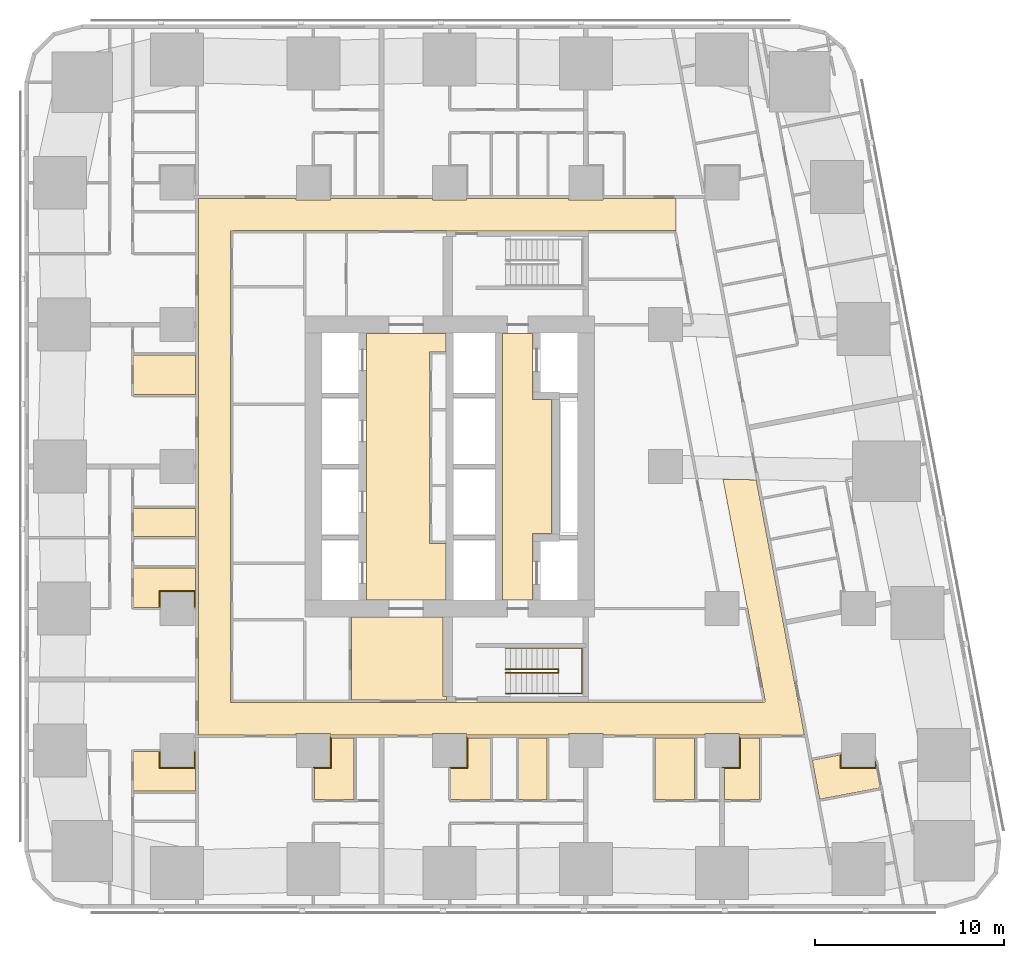
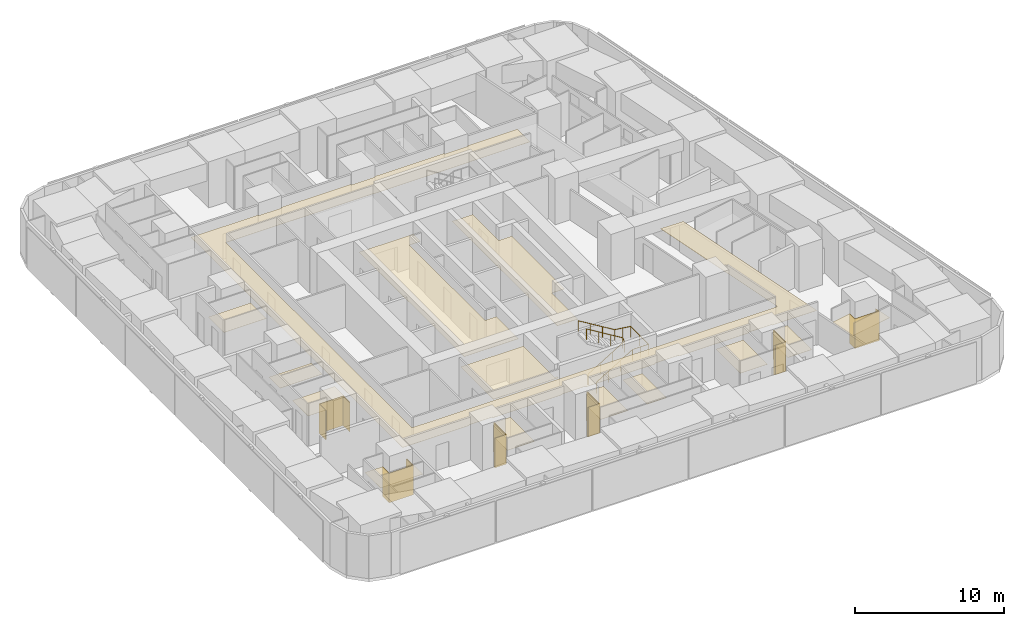
# One storey, part 14 of 16: 20 coverings, 2 railings.
"""IFC4 building model written with IfcOpenShell, lengths in metres."""

from ifc_helpers import new_model, si_unit, direction, frame, origin, origin_2d, place, context, subcontext, project, spatial, polyline, circle, outline, extrude, material, layer, layer_set, type_object, element, save


model = new_model("IFC4")

# Units and contexts
model_context = context("Model", 3, precision=1e-05, world=origin(), true_north=direction((0.0, 1.0)))
body_context = subcontext(model_context, "Body", "Model", "MODEL_VIEW")
ifc_project = project(units=[si_unit("LENGTHUNIT", "METRE"), si_unit("AREAUNIT", "SQUARE_METRE"), si_unit("VOLUMEUNIT", "CUBIC_METRE"), si_unit("PLANEANGLEUNIT", "RADIAN"), si_unit("MASSUNIT", "GRAM", prefix="KILO")], contexts=[model_context])

# Site, building, storey
site_placement = place(None, origin())
site = spatial("IfcSite", under=ifc_project, at=site_placement, CompositionType="ELEMENT")
building_placement = place(site_placement, origin())
building = spatial("IfcBuilding", under=site, at=building_placement, Name="Sheger Commons Tower", CompositionType="ELEMENT")
storey_placement = place(building_placement, frame((0.0, 0.0, 57.5)))
storey = spatial("IfcBuildingStorey", under=building, at=storey_placement, Name="L14", CompositionType="ELEMENT", Elevation=57.5)

# Railings
ifc_material_1 = material(Name="Steel handrail, black powder-coated", Category="steel")
railing_type = type_object("IfcRailingType", Name="HANDRAIL 900", PredefinedType="HANDRAIL", material=ifc_material_1)
railing_1_placement = place(storey_placement, frame((24.550048828125, 11.60009765625, 0.17041015625)))
element("IfcRailing", 1, at=railing_1_placement, inside=storey, type_object=railing_type, Name="Stair S1 handrail L14", PredefinedType="HANDRAIL", context=body_context, shape_type="SweptSolid", body=[
    extrude(circle(Radius=0.02392578125, at=origin_2d()), frame((0.0, 0.0, 0.8759765625), z_axis=(0.854169791009, 0.0, 0.51999420009), x_axis=(0.0, 1.0, 0.0)), (0.0, 0.0, 1.0), 3.278076171875),
    extrude(circle(Radius=0.02392578125, at=origin_2d()), frame((2.800048828125, 0.0, 2.58056640625), z_axis=(0.0, 0.761090297175, 0.648645943136), x_axis=(-1.0, 0.0, 0.0)), (0.0, 0.0, 1.0), 0.2626953125),
    extrude(circle(Radius=0.02392578125, at=origin_2d()), frame((2.800048828125, 0.199951171875, 2.7509765625), z_axis=(-0.854169791009, 0.0, 0.51999420009), x_axis=(0.0, -1.0, 0.0)), (0.0, 0.0, 1.0), 3.278076171875),
    extrude(circle(Radius=0.02099609375, at=origin_2d()), origin(), (0.0, 0.0, 1.0), 0.851806640625),
    extrude(circle(Radius=0.02099609375, at=origin_2d()), frame((0.933349609375, 0.0, 0.568115234375)), (0.0, 0.0, 1.0), 0.851806640625),
    extrude(circle(Radius=0.02099609375, at=origin_2d()), frame((1.86669921875, 0.0, 1.136474609375)), (0.0, 0.0, 1.0), 0.851806640625),
    extrude(circle(Radius=0.02099609375, at=origin_2d()), frame((2.800048828125, 0.0, 1.70458984375)), (0.0, 0.0, 1.0), 0.851806640625),
    extrude(circle(Radius=0.02099609375, at=origin_2d()), frame((2.800048828125, 0.199951171875, 1.875)), (0.0, 0.0, 1.0), 0.851806640625),
    extrude(circle(Radius=0.02099609375, at=origin_2d()), frame((1.86669921875, 0.199951171875, 2.443115234375)), (0.0, 0.0, 1.0), 0.851806640625),
    extrude(circle(Radius=0.02099609375, at=origin_2d()), frame((0.933349609375, 0.199951171875, 3.011474609375)), (0.0, 0.0, 1.0), 0.851806640625),
    extrude(circle(Radius=0.02099609375, at=origin_2d()), frame((0.0, 0.199951171875, 3.57958984375)), (0.0, 0.0, 1.0), 0.851806640625),
])
railing_2_placement = place(storey_placement, frame((24.550048828125, 10.5, 0.17041015625)))
element("IfcRailing", 2, at=railing_2_placement, inside=storey, type_object=railing_type, Name="Stair S1 handrail L14", PredefinedType="HANDRAIL", context=body_context, shape_type="SweptSolid", body=[
    extrude(circle(Radius=0.02392578125, at=origin_2d()), frame((0.0, 0.0, 0.8759765625), z_axis=(0.854169791009, 0.0, 0.51999420009), x_axis=(0.0, 1.0, 0.0)), (0.0, 0.0, 1.0), 3.278076171875),
    extrude(circle(Radius=0.02392578125, at=origin_2d()), frame((2.800048828125, 0.0, 2.58056640625), z_axis=(1.0, 0.0, 0.0), x_axis=(0.0, 1.0, 0.0)), (0.0, 0.0, 1.0), 1.25),
    extrude(circle(Radius=0.02392578125, at=origin_2d()), frame((4.050048828125, 0.0, 2.58056640625), z_axis=(0.0, 1.0, 0.0), x_axis=(-1.0, 0.0, 0.0)), (0.0, 0.0, 1.0), 2.39990234375),
    extrude(circle(Radius=0.02392578125, at=origin_2d()), frame((4.050048828125, 2.39990234375, 2.58056640625), z_axis=(-0.990834877927, 0.0, 0.135078661092), x_axis=(0.0, -1.0, 0.0)), (0.0, 0.0, 1.0), 1.261474609375),
    extrude(circle(Radius=0.02392578125, at=origin_2d()), frame((2.800048828125, 2.39990234375, 2.7509765625), z_axis=(-0.854169791009, 0.0, 0.51999420009), x_axis=(0.0, -1.0, 0.0)), (0.0, 0.0, 1.0), 3.278076171875),
    extrude(circle(Radius=0.02099609375, at=origin_2d()), origin(), (0.0, 0.0, 1.0), 0.851806640625),
    extrude(circle(Radius=0.02099609375, at=origin_2d()), frame((0.933349609375, 0.0, 0.568115234375)), (0.0, 0.0, 1.0), 0.851806640625),
    extrude(circle(Radius=0.02099609375, at=origin_2d()), frame((1.86669921875, 0.0, 1.136474609375)), (0.0, 0.0, 1.0), 0.851806640625),
    extrude(circle(Radius=0.02099609375, at=origin_2d()), frame((2.800048828125, 0.0, 1.70458984375)), (0.0, 0.0, 1.0), 0.851806640625),
    extrude(circle(Radius=0.02099609375, at=origin_2d()), frame((3.425048828125, 0.0, 1.70458984375)), (0.0, 0.0, 1.0), 0.851806640625),
    extrude(circle(Radius=0.02099609375, at=origin_2d()), frame((4.050048828125, 0.0, 1.70458984375)), (0.0, 0.0, 1.0), 0.851806640625),
    extrude(circle(Radius=0.02099609375, at=origin_2d()), frame((4.050048828125, 1.199951171875, 1.70458984375)), (0.0, 0.0, 1.0), 0.851806640625),
    extrude(circle(Radius=0.02099609375, at=origin_2d()), frame((4.050048828125, 2.39990234375, 1.70458984375)), (0.0, 0.0, 1.0), 0.851806640625),
    extrude(circle(Radius=0.02099609375, at=origin_2d()), frame((3.425048828125, 2.39990234375, 1.789794921875)), (0.0, 0.0, 1.0), 0.851806640625),
    extrude(circle(Radius=0.02099609375, at=origin_2d()), frame((2.800048828125, 2.39990234375, 1.875)), (0.0, 0.0, 1.0), 0.851806640625),
    extrude(circle(Radius=0.02099609375, at=origin_2d()), frame((1.86669921875, 2.39990234375, 2.443115234375)), (0.0, 0.0, 1.0), 0.851806640625),
    extrude(circle(Radius=0.02099609375, at=origin_2d()), frame((0.933349609375, 2.39990234375, 3.011474609375)), (0.0, 0.0, 1.0), 0.851806640625),
    extrude(circle(Radius=0.02099609375, at=origin_2d()), frame((0.0, 2.39990234375, 3.57958984375)), (0.0, 0.0, 1.0), 0.851806640625),
])

# Coverings
ifc_material_2 = material(Name="Moisture-resistant gypsum plasterboard 15 mm on a suspended galvanised steel grid", Category="steel")
ifc_layer_1 = layer(ifc_material_2, 0.014892578125)
ifc_layer_set_1 = layer_set([ifc_layer_1], Name="MOISTURE-RESISTANT CEILING 15")
covering_type_1 = type_object("IfcCoveringType", Name="MOISTURE-RESISTANT CEILING 15", PredefinedType="CEILING", material=ifc_layer_set_1)
covering_1_placement = place(storey_placement, frame((0.0, 0.0, 2.39990234375)))
element("IfcCovering", 3, at=covering_1_placement, inside=storey, type_object=covering_type_1, Name="L14-01.B1 ceiling", PredefinedType="CEILING", context=body_context, shape_type="SweptSolid", body=[
    extrude(outline(polyline([(4.905029296875, 5.344970703125), (8.169921875, 5.344970703125), (8.169921875, 7.445068359375), (8.10498046875, 7.445068359375), (8.10498046875, 6.594970703125), (6.294921875, 6.594970703125), (6.294921875, 7.445068359375), (4.905029296875, 7.445068359375), (4.905029296875, 5.344970703125)])), origin(), (0.0, 0.0, 1.0), 0.01513671875),
])
covering_2_placement = place(storey_placement, frame((0.0, 0.0, 2.39990234375)))
element("IfcCovering", 4, at=covering_2_placement, inside=storey, type_object=covering_type_1, Name="L14-02.B1 ceiling", PredefinedType="CEILING", context=body_context, shape_type="SweptSolid", body=[
    extrude(outline(polyline([(4.905029296875, 15.054931640625), (6.294921875, 15.054931640625), (6.294921875, 15.905029296875), (8.10498046875, 15.905029296875), (8.10498046875, 15.054931640625), (8.169921875, 15.054931640625), (8.169921875, 17.155029296875), (4.905029296875, 17.155029296875), (4.905029296875, 15.054931640625)])), origin(), (0.0, 0.0, 1.0), 0.01513671875),
])
covering_3_placement = place(storey_placement, frame((0.0, 0.0, 2.39990234375)))
element("IfcCovering", 5, at=covering_3_placement, inside=storey, type_object=covering_type_1, Name="L14-02.B2 ceiling", PredefinedType="CEILING", context=body_context, shape_type="SweptSolid", body=[
    extrude(outline(polyline([(4.905029296875, 18.804931640625), (8.169921875, 18.804931640625), (8.169921875, 20.294921875), (4.905029296875, 20.294921875), (4.905029296875, 18.804931640625)])), origin(), (0.0, 0.0, 1.0), 0.01513671875),
])
covering_4_placement = place(storey_placement, frame((0.0, 0.0, 2.39990234375)))
element("IfcCovering", 6, at=covering_4_placement, inside=storey, type_object=covering_type_1, Name="L14-03.B1 ceiling", PredefinedType="CEILING", context=body_context, shape_type="SweptSolid", body=[
    extrude(outline(polyline([(4.905029296875, 26.304931640625), (8.169921875, 26.304931640625), (8.169921875, 28.405029296875), (4.905029296875, 28.405029296875), (4.905029296875, 26.304931640625)])), origin(), (0.0, 0.0, 1.0), 0.01513671875),
])
covering_5_placement = place(storey_placement, frame((0.0, 0.0, 2.39990234375)))
element("IfcCovering", 7, at=covering_5_placement, inside=storey, type_object=covering_type_1, Name="L14-05.B1 ceiling", PredefinedType="CEILING", context=body_context, shape_type="SweptSolid", body=[
    extrude(outline(polyline([(14.455078125, 4.905029296875), (16.554931640625, 4.905029296875), (16.554931640625, 8.169921875), (15.304931640625, 8.169921875), (15.304931640625, 6.594970703125), (14.455078125, 6.594970703125), (14.455078125, 4.905029296875)])), origin(), (0.0, 0.0, 1.0), 0.01513671875),
])
covering_6_placement = place(storey_placement, frame((0.0, 0.0, 2.39990234375)))
element("IfcCovering", 8, at=covering_6_placement, inside=storey, type_object=covering_type_1, Name="L14-06.B1 ceiling", PredefinedType="CEILING", context=body_context, shape_type="SweptSolid", body=[
    extrude(outline(polyline([(21.655029296875, 4.905029296875), (23.7548828125, 4.905029296875), (23.7548828125, 8.169921875), (22.5048828125, 8.169921875), (22.5048828125, 6.594970703125), (21.655029296875, 6.594970703125), (21.655029296875, 4.905029296875)])), origin(), (0.0, 0.0, 1.0), 0.01513671875),
])
covering_7_placement = place(storey_placement, frame((0.0, 0.0, 2.39990234375)))
element("IfcCovering", 9, at=covering_7_placement, inside=storey, type_object=covering_type_1, Name="L14-06.B2 ceiling", PredefinedType="CEILING", context=body_context, shape_type="SweptSolid", body=[
    extrude(outline(polyline([(25.2548828125, 4.905029296875), (26.7451171875, 4.905029296875), (26.7451171875, 8.169921875), (25.2548828125, 8.169921875), (25.2548828125, 4.905029296875)])), origin(), (0.0, 0.0, 1.0), 0.01513671875),
])
covering_8_placement = place(storey_placement, frame((0.0, 0.0, 2.39990234375)))
element("IfcCovering", 10, at=covering_8_placement, inside=storey, type_object=covering_type_1, Name="L14-07.B1 ceiling", PredefinedType="CEILING", context=body_context, shape_type="SweptSolid", body=[
    extrude(outline(polyline([(32.455078125, 4.905029296875), (34.554931640625, 4.905029296875), (34.554931640625, 8.169921875), (32.455078125, 8.169921875), (32.455078125, 4.905029296875)])), origin(), (0.0, 0.0, 1.0), 0.01513671875),
])
covering_9_placement = place(storey_placement, frame((0.0, 0.0, 2.39990234375)))
element("IfcCovering", 11, at=covering_9_placement, inside=storey, type_object=covering_type_1, Name="L14-08.B1 ceiling", PredefinedType="CEILING", context=body_context, shape_type="SweptSolid", body=[
    extrude(outline(polyline([(36.1298828125, 4.905029296875), (37.97412109375, 4.905029296875), (37.97412109375, 8.169921875), (36.905029296875, 8.169921875), (36.905029296875, 6.594970703125), (36.1298828125, 6.594970703125), (36.1298828125, 4.905029296875)])), origin(), (0.0, 0.0, 1.0), 0.01513671875),
])
covering_10_placement = place(storey_placement, frame((0.0, 0.0, 2.39990234375)))
element("IfcCovering", 12, at=covering_10_placement, inside=storey, type_object=covering_type_1, Name="L14-11.B1 ceiling", PredefinedType="CEILING", context=body_context, shape_type="SweptSolid", body=[
    extrude(outline(polyline([(41.156005859375, 4.9208984375), (44.364013671875, 5.527099609375), (44.10693359375, 6.885009765625), (44.10498046875, 6.885009765625), (44.10498046875, 6.594970703125), (42.294921875, 6.594970703125), (42.294921875, 7.27392578125), (40.76611328125, 6.985107421875), (41.156005859375, 4.9208984375)])), origin(), (0.0, 0.0, 1.0), 0.01513671875),
])
ifc_material_3 = material(Name="Gypsum plasterboard 15 mm on a suspended steel grid", Category="steel")
ifc_layer_2 = layer(ifc_material_3, 0.014892578125)
ifc_layer_set_2 = layer_set([ifc_layer_2], Name="SUSPENDED CEILING 15")
covering_type_2 = type_object("IfcCoveringType", Name="SUSPENDED CEILING 15", PredefinedType="CEILING", material=ifc_layer_set_2)
covering_11_placement = place(storey_placement, frame((0.0, 0.0, 2.699951171875)))
element("IfcCovering", 13, at=covering_11_placement, inside=storey, type_object=covering_type_2, Name="L14-CO ceiling", PredefinedType="CEILING", context=body_context, shape_type="SweptSolid", body=[
    extrude(outline(polyline([(8.330078125, 8.330078125), (13.4951171875, 8.330078125), (13.4951171875, 8.405029296875), (15.304931640625, 8.405029296875), (15.304931640625, 8.330078125), (20.695068359375, 8.330078125), (20.695068359375, 8.405029296875), (22.5048828125, 8.405029296875), (22.5048828125, 8.330078125), (27.89501953125, 8.330078125), (27.89501953125, 8.405029296875), (29.705078125, 8.405029296875), (29.705078125, 8.330078125), (35.094970703125, 8.330078125), (35.094970703125, 8.405029296875), (36.905029296875, 8.405029296875), (36.905029296875, 8.330078125), (40.34912109375, 8.330078125), (37.804931640625, 21.798095703125), (36.048095703125, 21.8330078125), (37.3359375, 15.013916015625), (37.35302734375, 15.01708984375), (38.26904296875, 10.1708984375), (38.251953125, 10.1669921875), (38.27392578125, 10.050048828125), (38.14306640625, 10.050048828125), (38.14306640625, 10.031982421875), (28.945068359375, 10.031982421875), (28.945068359375, 10.044921875), (21.455078125, 10.044921875), (21.455078125, 10.031982421875), (10.157958984375, 10.031982421875), (10.157958984375, 10.044921875), (10.031982421875, 10.044921875), (10.031982421875, 34.955078125), (10.157958984375, 34.955078125), (10.157958984375, 34.968017578125), (21.455078125, 34.968017578125), (21.455078125, 34.949951171875), (28.945068359375, 34.949951171875), (28.945068359375, 34.968017578125), (33.54296875, 34.968017578125), (33.54296875, 34.949951171875), (33.568115234375, 34.949951171875), (33.568115234375, 36.669921875), (29.705078125, 36.669921875), (29.705078125, 36.594970703125), (27.89501953125, 36.594970703125), (27.89501953125, 36.669921875), (22.5048828125, 36.669921875), (22.5048828125, 36.594970703125), (20.695068359375, 36.594970703125), (20.695068359375, 36.669921875), (15.304931640625, 36.669921875), (15.304931640625, 36.594970703125), (13.4951171875, 36.594970703125), (13.4951171875, 36.669921875), (8.330078125, 36.669921875), (8.330078125, 8.330078125)])), origin(), (0.0, 0.0, 1.0), 0.01513671875),
])
covering_12_placement = place(storey_placement, frame((0.0, 0.0, 2.699951171875)))
element("IfcCovering", 14, at=covering_12_placement, inside=storey, type_object=covering_type_2, Name="L14-SVS1 ceiling", PredefinedType="CEILING", context=body_context, shape_type="SweptSolid", body=[
    extrude(outline(polyline([(16.406982421875, 10.16796875), (21.445068359375, 10.16796875), (21.445068359375, 10.344970703125), (21.2451171875, 10.344970703125), (21.2451171875, 14.544921875), (16.406982421875, 14.544921875), (16.406982421875, 10.16796875)])), origin(), (0.0, 0.0, 1.0), 0.01513671875),
])
covering_13_placement = place(storey_placement, frame((0.0, 0.0, 2.699951171875)))
element("IfcCovering", 15, at=covering_13_placement, inside=storey, type_object=covering_type_2, Name="L14-LL ceiling", PredefinedType="CEILING", context=body_context, shape_type="SweptSolid", body=[
    extrude(outline(polyline([(17.205078125, 15.455078125), (21.39990234375, 15.455078125), (21.39990234375, 18.43310546875), (20.657958984375, 18.43310546875), (20.532958984375, 18.43310546875), (20.532958984375, 28.56689453125), (20.657958984375, 28.56689453125), (21.39990234375, 28.56689453125), (21.39990234375, 29.544921875), (17.205078125, 29.544921875), (17.205078125, 15.455078125)])), origin(), (0.0, 0.0, 1.0), 0.01513671875),
])
covering_14_placement = place(storey_placement, frame((0.0, 0.0, 2.699951171875)))
element("IfcCovering", 16, at=covering_14_placement, inside=storey, type_object=covering_type_2, Name="L14-FL ceiling", PredefinedType="CEILING", context=body_context, shape_type="SweptSolid", body=[
    extrude(outline(polyline([(24.405029296875, 15.455078125), (25.9951171875, 15.455078125), (25.9951171875, 18.955078125), (26.9951171875, 18.955078125), (26.9951171875, 26.044921875), (25.9951171875, 26.044921875), (25.9951171875, 29.544921875), (24.405029296875, 29.544921875), (24.405029296875, 15.455078125)])), origin(), (0.0, 0.0, 1.0), 0.01513671875),
])
ifc_material_4 = material(Name="Moisture-resistant gypsum board 12.5 mm on 25 mm treated timber battens, tanked and tiled", Category="wood")
ifc_layer_3 = layer(ifc_material_4, 0.050048828125)
ifc_layer_set_3 = layer_set([ifc_layer_3], Name="WET-ROOM COLUMN LINING")
covering_type_3 = type_object("IfcCoveringType", Name="WET-ROOM COLUMN LINING", PredefinedType="CLADDING", material=ifc_layer_set_3)
covering_15_placement = place(storey_placement, origin())
element("IfcCovering", 17, at=covering_15_placement, inside=storey, type_object=covering_type_3, Name="Bathroom column lining C8 L14", PredefinedType="CLADDING", context=body_context, shape_type="SweptSolid", body=[
    extrude(outline(polyline([(6.300048828125, 7.5), (6.300048828125, 6.60009765625), (8.10009765625, 6.60009765625), (8.10009765625, 7.5), (8.10107421875, 7.5), (8.10107421875, 7.449951171875), (8.14990234375, 7.449951171875), (8.14990234375, 6.550048828125), (6.25, 6.550048828125), (6.25, 7.449951171875), (6.299072265625, 7.449951171875), (6.299072265625, 7.5), (6.300048828125, 7.5)])), origin(), (0.0, 0.0, 1.0), 2.39990234375),
])
covering_16_placement = place(storey_placement, origin())
element("IfcCovering", 18, at=covering_16_placement, inside=storey, type_object=covering_type_3, Name="Bathroom column lining C8 L14", PredefinedType="CLADDING", context=body_context, shape_type="SweptSolid", body=[
    extrude(outline(polyline([(14.449951171875, 6.550048828125), (14.449951171875, 6.59912109375), (14.39990234375, 6.59912109375), (14.39990234375, 6.60009765625), (15.300048828125, 6.60009765625), (15.300048828125, 8.25), (15.301025390625, 8.25), (15.301025390625, 8.175048828125), (15.35009765625, 8.175048828125), (15.35009765625, 6.550048828125), (14.449951171875, 6.550048828125)])), origin(), (0.0, 0.0, 1.0), 2.39990234375),
])
covering_17_placement = place(storey_placement, origin())
element("IfcCovering", 19, at=covering_17_placement, inside=storey, type_object=covering_type_3, Name="Bathroom column lining C8 L14", PredefinedType="CLADDING", context=body_context, shape_type="SweptSolid", body=[
    extrude(outline(polyline([(21.64990234375, 6.550048828125), (21.64990234375, 6.59912109375), (21.60009765625, 6.59912109375), (21.60009765625, 6.60009765625), (22.5, 6.60009765625), (22.5, 8.25), (22.5009765625, 8.25), (22.5009765625, 8.175048828125), (22.550048828125, 8.175048828125), (22.550048828125, 6.550048828125), (21.64990234375, 6.550048828125)])), origin(), (0.0, 0.0, 1.0), 2.39990234375),
])
covering_18_placement = place(storey_placement, origin())
element("IfcCovering", 20, at=covering_18_placement, inside=storey, type_object=covering_type_3, Name="Shower room column lining C8 L14", PredefinedType="CLADDING", context=body_context, shape_type="SweptSolid", body=[
    extrude(outline(polyline([(36.125, 6.550048828125), (36.125, 6.59912109375), (36.0, 6.59912109375), (36.0, 6.60009765625), (36.89990234375, 6.60009765625), (36.89990234375, 8.25), (36.90087890625, 8.25), (36.90087890625, 8.175048828125), (36.949951171875, 8.175048828125), (36.949951171875, 6.550048828125), (36.125, 6.550048828125)])), origin(), (0.0, 0.0, 1.0), 2.39990234375),
])
covering_19_placement = place(storey_placement, origin())
element("IfcCovering", 21, at=covering_19_placement, inside=storey, type_object=covering_type_3, Name="Bathroom column lining C8 L14", PredefinedType="CLADDING", context=body_context, shape_type="SweptSolid", body=[
    extrude(outline(polyline([(42.300048828125, 7.3310546875), (42.300048828125, 6.60009765625), (44.10009765625, 6.60009765625), (44.10009765625, 6.949951171875), (44.14990234375, 6.68603515625), (44.14990234375, 6.550048828125), (42.25, 6.550048828125), (42.25, 7.27099609375), (42.299072265625, 7.280029296875), (42.2900390625, 7.3291015625), (42.300048828125, 7.3310546875)])), origin(), (0.0, 0.0, 1.0), 2.39990234375),
])
covering_20_placement = place(storey_placement, origin())
element("IfcCovering", 22, at=covering_20_placement, inside=storey, type_object=covering_type_3, Name="Bathroom column lining C8 L14", PredefinedType="CLADDING", context=body_context, shape_type="SweptSolid", body=[
    extrude(outline(polyline([(8.14990234375, 15.949951171875), (8.14990234375, 15.050048828125), (8.10107421875, 15.050048828125), (8.10107421875, 15.0), (8.10009765625, 15.0), (8.10009765625, 15.89990234375), (6.300048828125, 15.89990234375), (6.300048828125, 15.0), (6.299072265625, 15.0), (6.299072265625, 15.050048828125), (6.25, 15.050048828125), (6.25, 15.949951171875), (8.14990234375, 15.949951171875)])), origin(), (0.0, 0.0, 1.0), 2.39990234375),
])

save(model, "model.ifc")
